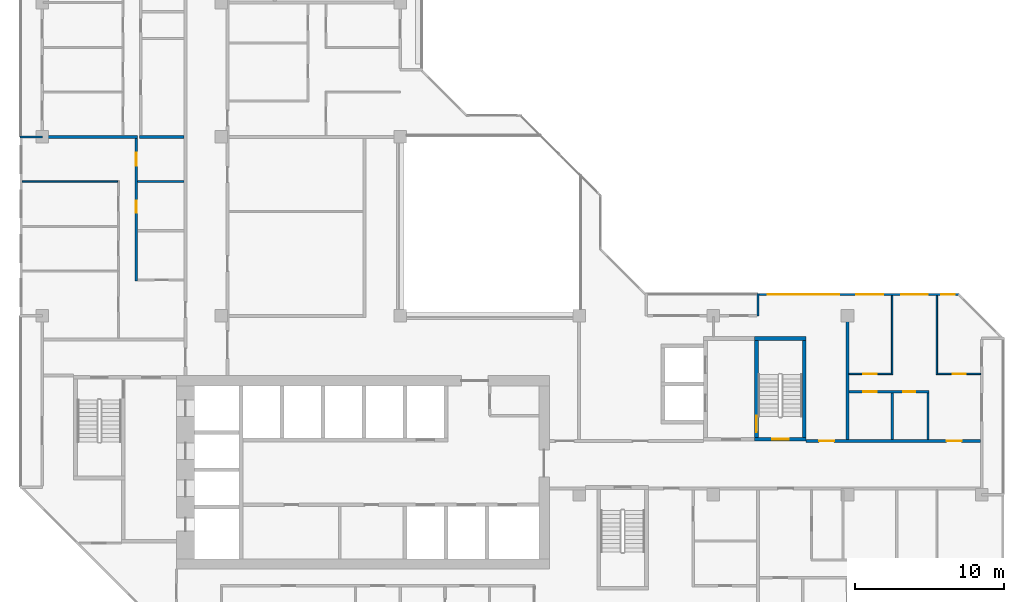
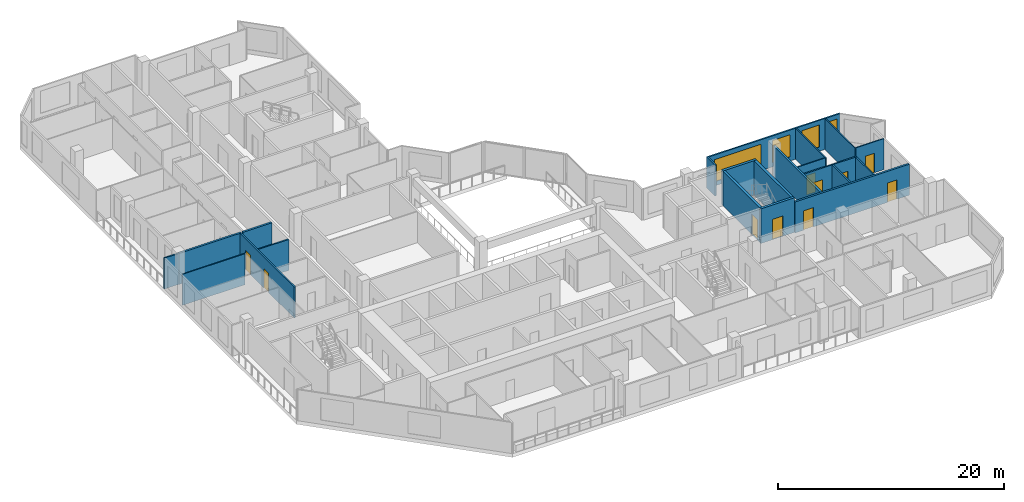
# One storey, part 8 of 15: 21 walls, 10 doors, 4 windows, 14 openings.
"""IFC4 building model written with IfcOpenShell, lengths in metres."""

import ifcopenshell
import ifcopenshell.guid

model = None  # the IFC model being written
_history = None  # IfcOwnerHistory: only IFC2X3 demands one
_inside = {}  # id of a spatial element -> (the spatial element, [elements in it])
_under = {}  # id of a project, library or spatial element -> (it, [spatial elements below it])
_declared = {}  # id of a project -> (the project, [libraries it declares])
_typed = {}  # id of a type object -> (the type object, [elements of that type])
_made_of = {}  # id of a material, layer set ... -> (it, [elements and type objects made of it])


def new_model(schema):
    """Start an empty IFC model of exactly this schema.

    Asked for "IFC4X3", IfcOpenShell would pick the latest addendum, in which some entities
    have other attributes; the version numbers below select the first issue.
    IFC2X3 requires an IfcOwnerHistory on every rooted entity: one is made here for all.
    """
    global model, _history
    if schema == "IFC4X3":
        model = ifcopenshell.file(schema_version=(4, 3, 0, 0))
    else:
        model = ifcopenshell.file(schema=schema)
    _inside.clear()
    _under.clear()
    _declared.clear()
    _typed.clear()
    _made_of.clear()
    _history = None
    if model.schema == "IFC2X3":
        org = make("IfcOrganization", Name="unknown")
        user = make(
            "IfcPersonAndOrganization",
            ThePerson=make("IfcPerson", FamilyName="unknown"),
            TheOrganization=org,
        )
        app = make(
            "IfcApplication",
            ApplicationDeveloper=org,
            Version="unknown",
            ApplicationFullName="unknown",
            ApplicationIdentifier="unknown",
        )
        _history = make(
            "IfcOwnerHistory",
            OwningUser=user,
            OwningApplication=app,
            ChangeAction="ADDED",
            CreationDate=0,
        )
    return model


def make(cls, **values):
    """One entity of the class cls with the attributes given. An attribute that is None is left unset."""
    return model.create_entity(
        cls, **{name: value for name, value in values.items() if value is not None}
    )


def rooted(cls, **values):
    """An entity with a GlobalId (a new one), such as an element, a storey or a relation."""
    return make(cls, GlobalId=ifcopenshell.guid.new(), OwnerHistory=_history, **values)


def si_unit(unit_type, name, prefix=None):
    """IfcSIUnit, for example si_unit("LENGTHUNIT", "METRE", prefix="MILLI")."""
    return make("IfcSIUnit", UnitType=unit_type, Prefix=prefix, Name=name)


def assignment(units):
    """IfcUnitAssignment: the units of a project."""
    return None if units is None else make("IfcUnitAssignment", Units=units)


def point(xyz):
    """IfcCartesianPoint."""
    return None if xyz is None else make("IfcCartesianPoint", Coordinates=xyz)


def direction(xyz):
    """IfcDirection."""
    return None if xyz is None else make("IfcDirection", DirectionRatios=xyz)


def frame(location, z_axis=None, x_axis=None):
    """IfcAxis2Placement3D, a coordinate frame: its origin and axes. An axis left out is left unset."""
    return make(
        "IfcAxis2Placement3D",
        Location=point(location),
        Axis=direction(z_axis),
        RefDirection=direction(x_axis),
    )


def frame_2d(location, x_axis=None):
    """IfcAxis2Placement2D, a coordinate frame in the plane: its origin and x axis."""
    return make(
        "IfcAxis2Placement2D", Location=point(location), RefDirection=direction(x_axis)
    )


def origin():
    """The frame at (0, 0, 0) with its axes left unset."""
    return frame((0.0, 0.0, 0.0))


def place(relative_to, where):
    """IfcLocalPlacement: puts the frame where relative to a parent placement (None: the world)."""
    return make(
        "IfcLocalPlacement", PlacementRelTo=relative_to, RelativePlacement=where
    )


def context(
    kind, dimensions, precision=None, world=None, true_north=None, identifier=None
):
    """IfcGeometricRepresentationContext, for example the 3D "Model" context."""
    return make(
        "IfcGeometricRepresentationContext",
        ContextIdentifier=identifier,
        ContextType=kind,
        CoordinateSpaceDimension=dimensions,
        Precision=precision,
        WorldCoordinateSystem=world,
        TrueNorth=true_north,
    )


def subcontext(parent, identifier, kind, view, scale=None):
    """IfcGeometricRepresentationSubContext, for example "Body" below "Model"."""
    return make(
        "IfcGeometricRepresentationSubContext",
        ContextIdentifier=identifier,
        ContextType=kind,
        ParentContext=parent,
        TargetScale=scale,
        TargetView=view,
    )


def project(units=None, contexts=None):
    """IfcProject with its units and contexts."""
    return rooted(
        "IfcProject",
        Name="project",
        RepresentationContexts=contexts,
        UnitsInContext=assignment(units),
    )


def spatial(cls, under=None, at=None, **own):
    """A site, building, storey or space (cls), placed at a placement, below another one or the project."""
    s = rooted(cls, ObjectPlacement=at, **own)
    if under is not None:
        _under.setdefault(under.id(), (under, []))[1].append(s)
    return s


def profile(cls, at=None, kind="AREA", **sizes):
    """A parametric profile (cls). Its sizes go by their IFC names, for example OverallWidth=200.0."""
    return make(cls, ProfileType=kind, Position=at, **sizes)


def rectangle(**sizes):
    """IfcRectangleProfileDef."""
    return profile("IfcRectangleProfileDef", **sizes)


def extrude(swept, where, along, depth):
    """IfcExtrudedAreaSolid: the profile swept, set in the frame where, extruded along a direction by depth."""
    return make(
        "IfcExtrudedAreaSolid",
        SweptArea=swept,
        Position=where,
        ExtrudedDirection=direction(along),
        Depth=depth,
    )


def shape(context_of_items, identifier, shape_type, items):
    """IfcShapeRepresentation: the items that make up one representation, for example the "Body"."""
    return make(
        "IfcShapeRepresentation",
        ContextOfItems=context_of_items,
        RepresentationIdentifier=identifier,
        RepresentationType=shape_type,
        Items=items,
    )


def material(Name=None, Category=None):
    """IfcMaterial."""
    return make("IfcMaterial", Name=Name, Category=Category)


def layer(
    of_material, thickness, ventilated=None, Name=None, Category=None, Priority=None
):
    """IfcMaterialLayer: one layer of a wall or slab, of a material (None: an air gap)."""
    return make(
        "IfcMaterialLayer",
        Material=of_material,
        LayerThickness=thickness,
        IsVentilated=ventilated,
        Name=Name,
        Category=Category,
        Priority=Priority,
    )


def layer_set(layers, Name=None):
    """IfcMaterialLayerSet."""
    return make("IfcMaterialLayerSet", MaterialLayers=layers, LayerSetName=Name)


def made_of(thing, what):
    """Note that an element or type object is made of a material, layer set ...; save() writes the relation."""
    if what is not None:
        _made_of.setdefault(what.id(), (what, []))[1].append(thing)
    return thing


def type_object(cls, material=None, **own):
    """A type object (cls), such as IfcWallType, which elements share."""
    return made_of(rooted(cls, **own), material)


def element(
    cls,
    number,
    at=None,
    inside=None,
    cuts=None,
    type_object=None,
    material=None,
    context=None,
    identifier="Body",
    shape_type=None,
    held_by="IfcProductDefinitionShape",
    body=None,
    shapes=None,
    **own,
):
    """One element of the class cls, such as IfcWall. Its Tag is "e" and its number.

    at: its placement. inside: the storey or other place that contains it. cuts: it is an
    opening in that element (IfcRelVoidsElement). A single representation is given by context,
    identifier, shape_type and body (its items); several are given by shapes. held_by: the class
    of the entity that holds the representations. save() writes the other relations.
    """
    e = rooted(cls, Tag="e%d" % number, ObjectPlacement=at, **own)
    if body is not None:
        shapes = [shape(context, identifier, shape_type, body)]
    if shapes is not None:
        e.Representation = make(held_by, Representations=shapes)
    if inside is not None:
        _inside.setdefault(inside.id(), (inside, []))[1].append(e)
    if cuts is not None:
        rooted(
            "IfcRelVoidsElement", RelatingBuildingElement=cuts, RelatedOpeningElement=e
        )
    if type_object is not None:
        _typed.setdefault(type_object.id(), (type_object, []))[1].append(e)
    return made_of(e, material)


def fill(opening, filler):
    """IfcRelFillsElement: the door or window that sits in an opening."""
    return rooted(
        "IfcRelFillsElement",
        RelatingOpeningElement=opening,
        RelatedBuildingElement=filler,
    )


def aggregate(whole, parts):
    """IfcRelAggregates: a whole, such as a stair, and the parts it consists of."""
    return rooted("IfcRelAggregates", RelatingObject=whole, RelatedObjects=parts)


def save(model, path):
    """Write the relations noted so far, then the file.

    IfcRelAggregates (storeys below a building ...), IfcRelContainedInSpatialStructure (elements
    in a storey), IfcRelDefinesByType, IfcRelAssociatesMaterial and IfcRelDeclares: one each for
    every whole, place, type object, material and project.
    """
    for whole, parts in _under.values():
        aggregate(whole, parts)
    for where, things in _inside.values():
        rooted(
            "IfcRelContainedInSpatialStructure",
            RelatedElements=things,
            RelatingStructure=where,
        )
    for kind, things in _typed.values():
        rooted("IfcRelDefinesByType", RelatedObjects=things, RelatingType=kind)
    for what, things in _made_of.values():
        rooted("IfcRelAssociatesMaterial", RelatedObjects=things, RelatingMaterial=what)
    for by, libraries in _declared.values():
        rooted("IfcRelDeclares", RelatingContext=by, RelatedDefinitions=libraries)
    model.write(path)


model = new_model("IFC4")

# Units and contexts
model_context = context("Model", 3, precision=1e-05, world=origin(), true_north=direction((0.0, 1.0)))
body_context = subcontext(model_context, "Body", "Model", "MODEL_VIEW")
ifc_project = project(units=[si_unit("LENGTHUNIT", "METRE"), si_unit("AREAUNIT", "SQUARE_METRE"), si_unit("VOLUMEUNIT", "CUBIC_METRE"), si_unit("PLANEANGLEUNIT", "RADIAN"), si_unit("MASSUNIT", "GRAM", prefix="KILO")], contexts=[model_context])

# Site, building, storey
site_placement = place(None, origin())
site = spatial("IfcSite", under=ifc_project, at=site_placement, CompositionType="ELEMENT")
building_placement = place(site_placement, origin())
building = spatial("IfcBuilding", under=site, at=building_placement, Name="Chenar Terraces", CompositionType="ELEMENT")
storey_placement = place(building_placement, frame((0.0, 0.0, 249.14990234375)))
storey = spatial("IfcBuildingStorey", under=building, at=storey_placement, Name="L59", CompositionType="ELEMENT", Elevation=249.14990234375)

# Wall, opening, door
ifc_material_1 = material(Name="Concrete C60/75", Category="concrete")
ifc_layer_1 = layer(ifc_material_1, 0.25)
ifc_layer_set_1 = layer_set([ifc_layer_1], Name="Concrete C60/75")
wall_type_1 = type_object("IfcWallType", Name="Core wall 250 Concrete C60/75", PredefinedType="SHEAR", material=ifc_layer_set_1)
wall_1_placement = place(storey_placement, frame((47.77490234375, 15.72509765625, 0.0), z_axis=(0.0, 0.0, 1.0), x_axis=(1.0, 0.0, 0.0)))
wall_1 = element("IfcWall", 1, at=wall_1_placement, inside=storey, type_object=wall_type_1, Name="Core wall ST3_S L59", PredefinedType="SHEAR", context=body_context, shape_type="SweptSolid", body=[
    extrude(rectangle(XDim=3.4501953125, YDim=0.25, at=frame_2d((1.72509765625, 0.0))), origin(), (0.0, 0.0, 1.0), 3.75),
])
opening_1_placement = place(wall_1_placement, frame((1.175048828125, 0.0, 0.0)))
opening_1 = element("IfcOpeningElement", 2, at=opening_1_placement, cuts=wall_1, Name="Opening DL59-C8", PredefinedType="OPENING", context=body_context, shape_type="SweptSolid", body=[
    extrude(rectangle(XDim=1.10009765625, YDim=2.199951171875, at=frame_2d((0.550048828125, 1.10009765625))), frame((0.0, 0.135009765625, 0.0), z_axis=(0.0, -1.0, 0.0), x_axis=(1.0, 0.0, 0.0)), (0.0, 0.0, 1.0), 0.27001953125),
])
ifc_material_2 = material(Name="Steel-framed fire-resisting door leaf", Category="steel")
door_type_1 = type_object("IfcDoorType", Name="Stair fire door FD60 1100 x 2200", OperationType="SINGLE_SWING_LEFT", PredefinedType="DOOR", material=ifc_material_2)
door_1_placement = place(opening_1_placement, frame((1.10009765625, 0.0, 0.0), z_axis=(0.0, 0.0, 1.0), x_axis=(-1.0, 0.0, 0.0)))
door_1 = element("IfcDoor", 3, at=door_1_placement, inside=storey, type_object=door_type_1, Name="Stair door DL59-C8", OperationType="SINGLE_SWING_LEFT", OverallHeight=2.199951171875, OverallWidth=1.10009765625, PredefinedType="DOOR", context=body_context, shape_type="SweptSolid", body=[
    extrude(rectangle(XDim=1.10009765625, YDim=2.199951171875, at=frame_2d((0.550048828125, 1.10009765625))), frame((0.0, 0.02490234375, 0.0), z_axis=(0.0, -1.0, 0.0), x_axis=(1.0, 0.0, 0.0)), (0.0, 0.0, 1.0), 0.050048828125),
])
fill(opening_1, door_1)

# Wall
wall_2_placement = place(storey_placement, frame((47.77490234375, 22.47509765625, 0.0), z_axis=(0.0, 0.0, 1.0), x_axis=(1.0, 0.0, 0.0)))
element("IfcWall", 4, at=wall_2_placement, inside=storey, type_object=wall_type_1, Name="Core wall ST3_N L59", PredefinedType="SHEAR", context=body_context, shape_type="SweptSolid", body=[
    extrude(rectangle(XDim=3.4501953125, YDim=0.25, at=frame_2d((1.72509765625, 0.0))), origin(), (0.0, 0.0, 1.0), 3.75),
])

# Wall, opening, door
wall_3_placement = place(storey_placement, frame((47.89990234375, 15.85009765625, 0.0), z_axis=(0.0, 0.0, 1.0), x_axis=(0.0, 1.0, 0.0)))
wall_3 = element("IfcWall", 5, at=wall_3_placement, inside=storey, type_object=wall_type_1, Name="Core wall ST3_W L59", PredefinedType="SHEAR", context=body_context, shape_type="SweptSolid", body=[
    extrude(rectangle(XDim=6.5, YDim=0.25, at=frame_2d((3.25, 0.0))), origin(), (0.0, 0.0, 1.0), 3.75),
])
opening_2_placement = place(wall_3_placement, frame((0.35009765625, 0.0, 0.0)))
opening_2 = element("IfcOpeningElement", 6, at=opening_2_placement, cuts=wall_3, Name="Opening DL59-C11", PredefinedType="OPENING", context=body_context, shape_type="SweptSolid", body=[
    extrude(rectangle(XDim=1.10009765625, YDim=2.199951171875, at=frame_2d((0.550048828125, 1.10009765625))), frame((0.0, 0.135009765625, 0.0), z_axis=(0.0, -1.0, 0.0), x_axis=(1.0, 0.0, 0.0)), (0.0, 0.0, 1.0), 0.27001953125),
])
door_2_placement = place(opening_2_placement, frame((1.10009765625, 0.0, 0.0), z_axis=(0.0, 0.0, 1.0), x_axis=(-1.0, 0.0, 0.0)))
door_2 = element("IfcDoor", 7, at=door_2_placement, inside=storey, type_object=door_type_1, Name="Stair door DL59-C11", OperationType="SINGLE_SWING_RIGHT", OverallHeight=2.199951171875, OverallWidth=1.10009765625, PredefinedType="DOOR", context=body_context, shape_type="SweptSolid", body=[
    extrude(rectangle(XDim=1.10009765625, YDim=2.199951171875, at=frame_2d((0.550048828125, 1.10009765625))), frame((0.0, 0.02490234375, 0.0), z_axis=(0.0, -1.0, 0.0), x_axis=(1.0, 0.0, 0.0)), (0.0, 0.0, 1.0), 0.050048828125),
])
fill(opening_2, door_2)

# Wall
wall_4_placement = place(storey_placement, frame((51.10009765625, 15.85009765625, 0.0), z_axis=(0.0, 0.0, 1.0), x_axis=(0.0, 1.0, 0.0)))
element("IfcWall", 8, at=wall_4_placement, inside=storey, type_object=wall_type_1, Name="Core wall ST3_E L59", PredefinedType="SHEAR", context=body_context, shape_type="SweptSolid", body=[
    extrude(rectangle(XDim=6.5, YDim=0.25, at=frame_2d((3.25, 0.0))), origin(), (0.0, 0.0, 1.0), 3.75),
])

# Wall, openings, doors
ifc_material_3 = material(Name="Gypsum board on steel studs with fire boards", Category="steel")
ifc_layer_2 = layer(ifc_material_3, 0.199951171875)
ifc_layer_set_2 = layer_set([ifc_layer_2], Name="Gypsum board on steel studs with fire boards")
wall_type_2 = type_object("IfcWallType", Name="Corridor wall 200", PredefinedType="PARTITIONING", material=ifc_layer_set_2)
wall_5_placement = place(storey_placement, frame((51.22509765625, 15.60009765625, 0.0), z_axis=(0.0, 0.0, 1.0), x_axis=(1.0, 0.0, 0.0)))
wall_5 = element("IfcWall", 9, at=wall_5_placement, inside=storey, type_object=wall_type_2, Name="Partition L59-078", PredefinedType="PARTITIONING", context=body_context, shape_type="SweptSolid", body=[
    extrude(rectangle(XDim=11.700927734375, YDim=0.199951171875, at=frame_2d((5.8505859375, 0.0))), origin(), (0.0, 0.0, 1.0), 3.35009765625),
])
opening_3_placement = place(wall_5_placement, frame((9.425048828125, 0.0, 0.0)))
opening_3 = element("IfcOpeningElement", 10, at=opening_3_placement, cuts=wall_5, Name="Opening DL59-8", PredefinedType="OPENING", context=body_context, shape_type="SweptSolid", body=[
    extrude(rectangle(XDim=1.0, YDim=2.10009765625, at=frame_2d((0.5, 1.050048828125))), frame((0.0, 0.10986328125, 0.0), z_axis=(0.0, -1.0, 0.0), x_axis=(1.0, 0.0, 0.0)), (0.0, 0.0, 1.0), 0.219970703125),
])
opening_4_placement = place(wall_5_placement, frame((0.875, 0.0, 0.0)))
opening_4 = element("IfcOpeningElement", 11, at=opening_4_placement, cuts=wall_5, Name="Opening DL59-45", PredefinedType="OPENING", context=body_context, shape_type="SweptSolid", body=[
    extrude(rectangle(XDim=1.0, YDim=2.10009765625, at=frame_2d((0.5, 1.050048828125))), frame((0.0, 0.10986328125, 0.0), z_axis=(0.0, -1.0, 0.0), x_axis=(1.0, 0.0, 0.0)), (0.0, 0.0, 1.0), 0.219970703125),
])
ifc_material_4 = material(Name="Steel-framed fire-resisting door leaf", Category="steel")
door_type_2 = type_object("IfcDoorType", Name="Fire door FD30S 1000 x 2100", OperationType="SINGLE_SWING_LEFT", PredefinedType="DOOR", material=ifc_material_4)
door_3_placement = place(opening_3_placement, origin())
door_3 = element("IfcDoor", 12, at=door_3_placement, inside=storey, type_object=door_type_2, Name="Door DL59-8", OperationType="SINGLE_SWING_LEFT", OverallHeight=2.10009765625, OverallWidth=1.0, PredefinedType="DOOR", context=body_context, shape_type="SweptSolid", body=[
    extrude(rectangle(XDim=1.0, YDim=2.10009765625, at=frame_2d((0.5, 1.050048828125))), frame((0.0, 0.02490234375, 0.0), z_axis=(0.0, -1.0, 0.0), x_axis=(1.0, 0.0, 0.0)), (0.0, 0.0, 1.0), 0.050048828125),
])
fill(opening_3, door_3)
door_4_placement = place(opening_4_placement, origin())
door_4 = element("IfcDoor", 13, at=door_4_placement, inside=storey, type_object=door_type_2, Name="Door DL59-45", OperationType="SINGLE_SWING_RIGHT", OverallHeight=2.10009765625, OverallWidth=1.0, PredefinedType="DOOR", context=body_context, shape_type="SweptSolid", body=[
    extrude(rectangle(XDim=1.0, YDim=2.10009765625, at=frame_2d((0.5, 1.050048828125))), frame((0.0, 0.02490234375, 0.0), z_axis=(0.0, -1.0, 0.0), x_axis=(1.0, 0.0, 0.0)), (0.0, 0.0, 1.0), 0.050048828125),
])
fill(opening_4, door_4)

# Wall, openings, windows
ifc_material_5 = material(Name="Aluminium framed glazing", Category="aluminium")
ifc_layer_3 = layer(ifc_material_5, 0.14990234375)
ifc_layer_set_3 = layer_set([ifc_layer_3], Name="Aluminium framed glazing")
wall_type_3 = type_object("IfcWallType", Name="Glazed flush facade wall 150", PredefinedType="SOLIDWALL", material=ifc_layer_set_3)
wall_6_placement = place(storey_placement, frame((61.5, 25.425048828125, 0.0), z_axis=(0.0, 0.0, 1.0), x_axis=(-1.0, 0.0, 0.0)))
wall_6 = element("IfcWall", 14, at=wall_6_placement, inside=storey, type_object=wall_type_3, Name="Glazed flush facade wall", PredefinedType="SOLIDWALL", context=body_context, shape_type="SweptSolid", body=[
    extrude(rectangle(XDim=13.425048828125, YDim=0.14990234375, at=frame_2d((6.71240234375, 0.0))), origin(), (0.0, 0.0, 1.0), 3.35009765625),
])
opening_5_placement = place(wall_6_placement, frame((0.300048828125, 0.0, 0.449951171875)))
opening_5 = element("IfcOpeningElement", 15, at=opening_5_placement, cuts=wall_6, Name="Opening W90x240", PredefinedType="OPENING", context=body_context, shape_type="SweptSolid", body=[
    extrude(rectangle(XDim=0.89990234375, YDim=2.39990234375, at=frame_2d((0.449951171875, 1.199951171875))), frame((0.0, 0.0849609375, 0.0), z_axis=(0.0, -1.0, 0.0), x_axis=(1.0, 0.0, 0.0)), (0.0, 0.0, 1.0), 0.169921875),
])
opening_6_placement = place(wall_6_placement, frame((2.10009765625, 0.0, 0.449951171875)))
opening_6 = element("IfcOpeningElement", 16, at=opening_6_placement, cuts=wall_6, Name="Opening W180x240", PredefinedType="OPENING", context=body_context, shape_type="SweptSolid", body=[
    extrude(rectangle(XDim=1.800048828125, YDim=2.39990234375, at=frame_2d((0.89990234375, 1.199951171875))), frame((0.0, 0.0849609375, 0.0), z_axis=(0.0, -1.0, 0.0), x_axis=(1.0, 0.0, 0.0)), (0.0, 0.0, 1.0), 0.169921875),
])
opening_7_placement = place(wall_6_placement, frame((5.10009765625, 0.0, 0.449951171875)))
opening_7 = element("IfcOpeningElement", 17, at=opening_7_placement, cuts=wall_6, Name="Opening W180x240", PredefinedType="OPENING", context=body_context, shape_type="SweptSolid", body=[
    extrude(rectangle(XDim=1.800048828125, YDim=2.39990234375, at=frame_2d((0.89990234375, 1.199951171875))), frame((0.0, 0.0849609375, 0.0), z_axis=(0.0, -1.0, 0.0), x_axis=(1.0, 0.0, 0.0)), (0.0, 0.0, 1.0), 0.169921875),
])
opening_8_placement = place(wall_6_placement, frame((8.0625, 0.0, 0.449951171875)))
opening_8 = element("IfcOpeningElement", 18, at=opening_8_placement, cuts=wall_6, Name="Opening W480x240", PredefinedType="OPENING", context=body_context, shape_type="SweptSolid", body=[
    extrude(rectangle(XDim=4.800048828125, YDim=2.39990234375, at=frame_2d((2.39990234375, 1.199951171875))), frame((0.0, 0.0849609375, 0.0), z_axis=(0.0, -1.0, 0.0), x_axis=(1.0, 0.0, 0.0)), (0.0, 0.0, 1.0), 0.169921875),
])
ifc_material_6 = material(Name="Low emissivity double glazing, aluminium frame", Category="aluminium")
window_type_1 = type_object("IfcWindowType", Name="Fixed light 1800 x 2400", PartitioningType="SINGLE_PANEL", PredefinedType="WINDOW", material=ifc_material_6)
window_1_placement = place(opening_6_placement, origin())
window_1 = element("IfcWindow", 19, at=window_1_placement, inside=storey, type_object=window_type_1, Name="Window", OverallHeight=2.39990234375, OverallWidth=1.800048828125, PartitioningType="SINGLE_PANEL", PredefinedType="WINDOW", context=body_context, shape_type="SweptSolid", body=[
    extrude(rectangle(XDim=1.800048828125, YDim=2.39990234375, at=frame_2d((0.89990234375, 1.199951171875))), frame((0.0, 0.030029296875, 0.0), z_axis=(0.0, -1.0, 0.0), x_axis=(1.0, 0.0, 0.0)), (0.0, 0.0, 1.0), 0.06005859375),
])
fill(opening_6, window_1)
window_2_placement = place(opening_7_placement, origin())
window_2 = element("IfcWindow", 20, at=window_2_placement, inside=storey, type_object=window_type_1, Name="Window", OverallHeight=2.39990234375, OverallWidth=1.800048828125, PartitioningType="SINGLE_PANEL", PredefinedType="WINDOW", context=body_context, shape_type="SweptSolid", body=[
    extrude(rectangle(XDim=1.800048828125, YDim=2.39990234375, at=frame_2d((0.89990234375, 1.199951171875))), frame((0.0, 0.030029296875, 0.0), z_axis=(0.0, -1.0, 0.0), x_axis=(1.0, 0.0, 0.0)), (0.0, 0.0, 1.0), 0.06005859375),
])
fill(opening_7, window_2)
ifc_material_7 = material(Name="Low emissivity double glazing, aluminium frame", Category="aluminium")
window_type_2 = type_object("IfcWindowType", Name="Fixed light 4800 x 2400", PartitioningType="SINGLE_PANEL", PredefinedType="WINDOW", material=ifc_material_7)
window_3_placement = place(opening_8_placement, origin())
window_3 = element("IfcWindow", 21, at=window_3_placement, inside=storey, type_object=window_type_2, Name="Window", OverallHeight=2.39990234375, OverallWidth=4.800048828125, PartitioningType="SINGLE_PANEL", PredefinedType="WINDOW", context=body_context, shape_type="SweptSolid", body=[
    extrude(rectangle(XDim=4.800048828125, YDim=2.39990234375, at=frame_2d((2.39990234375, 1.199951171875))), frame((0.0, 0.030029296875, 0.0), z_axis=(0.0, -1.0, 0.0), x_axis=(1.0, 0.0, 0.0)), (0.0, 0.0, 1.0), 0.06005859375),
])
fill(opening_8, window_3)
ifc_material_8 = material(Name="Low emissivity double glazing, aluminium frame", Category="aluminium")
window_type_3 = type_object("IfcWindowType", Name="Fixed light 900 x 2400", PartitioningType="SINGLE_PANEL", PredefinedType="WINDOW", material=ifc_material_8)
window_4_placement = place(opening_5_placement, origin())
window_4 = element("IfcWindow", 22, at=window_4_placement, inside=storey, type_object=window_type_3, Name="Window", OverallHeight=2.39990234375, OverallWidth=0.89990234375, PartitioningType="SINGLE_PANEL", PredefinedType="WINDOW", context=body_context, shape_type="SweptSolid", body=[
    extrude(rectangle(XDim=0.89990234375, YDim=2.39990234375, at=frame_2d((0.449951171875, 1.199951171875))), frame((0.0, 0.030029296875, 0.0), z_axis=(0.0, -1.0, 0.0), x_axis=(1.0, 0.0, 0.0)), (0.0, 0.0, 1.0), 0.06005859375),
])
fill(opening_5, window_4)

# Wall
ifc_material_9 = material(Name="Gypsum board on steel studs", Category="steel")
ifc_layer_4 = layer(ifc_material_9, 0.10009765625)
ifc_layer_set_4 = layer_set([ifc_layer_4], Name="Gypsum board on steel studs")
wall_type_4 = type_object("IfcWallType", Name="Gypsum partition 100", PredefinedType="PARTITIONING", material=ifc_layer_set_4)
wall_7_placement = place(storey_placement, frame((-1.35009765625, 33.0, 0.0), z_axis=(0.0, 0.0, 1.0), x_axis=(1.0, 0.0, 0.0)))
element("IfcWall", 23, at=wall_7_placement, inside=storey, type_object=wall_type_4, Name="Partition L59-004", PredefinedType="PARTITIONING", context=body_context, shape_type="SweptSolid", body=[
    extrude(rectangle(XDim=6.400146484375, YDim=0.10009765625, at=frame_2d((3.2001953125, 0.0))), origin(), (0.0, 0.0, 1.0), 3.35009765625),
])

# Wall, opening, door
wall_8_placement = place(storey_placement, frame((54.10009765625, 20.10009765625, 0.0), z_axis=(0.0, 0.0, 1.0), x_axis=(1.0, 0.0, 0.0)))
wall_8 = element("IfcWall", 24, at=wall_8_placement, inside=storey, type_object=wall_type_4, Name="Partition L59-085", PredefinedType="PARTITIONING", context=body_context, shape_type="SweptSolid", body=[
    extrude(rectangle(XDim=2.849853515625, YDim=0.10009765625, at=frame_2d((1.4248046875, 0.0))), origin(), (0.0, 0.0, 1.0), 3.35009765625),
])
opening_9_placement = place(wall_8_placement, frame((0.949951171875, 0.0, 0.0)))
opening_9 = element("IfcOpeningElement", 25, at=opening_9_placement, cuts=wall_8, Name="Opening DL59-5", PredefinedType="OPENING", context=body_context, shape_type="SweptSolid", body=[
    extrude(rectangle(XDim=0.89990234375, YDim=2.10009765625, at=frame_2d((0.449951171875, 1.050048828125))), frame((0.0, 0.06005859375, 0.0), z_axis=(0.0, -1.0, 0.0), x_axis=(1.0, 0.0, 0.0)), (0.0, 0.0, 1.0), 0.1201171875),
])
ifc_material_10 = material(Name="Veneered timber door leaf", Category="wood")
door_type_3 = type_object("IfcDoorType", Name="Door 900 x 2100", OperationType="SINGLE_SWING_LEFT", PredefinedType="DOOR", material=ifc_material_10)
door_5_placement = place(opening_9_placement, origin())
door_5 = element("IfcDoor", 26, at=door_5_placement, inside=storey, type_object=door_type_3, Name="Door DL59-5", OperationType="SINGLE_SWING_RIGHT", OverallHeight=2.10009765625, OverallWidth=0.89990234375, PredefinedType="DOOR", context=body_context, shape_type="SweptSolid", body=[
    extrude(rectangle(XDim=0.89990234375, YDim=2.10009765625, at=frame_2d((0.449951171875, 1.050048828125))), frame((0.0, 0.02490234375, 0.0), z_axis=(0.0, -1.0, 0.0), x_axis=(1.0, 0.0, 0.0)), (0.0, 0.0, 1.0), 0.050048828125),
])
fill(opening_9, door_5)

# Walls
for number, where, z_axis, x_axis, name in (
    (27, (57.0, 20.050048828125, 0.0), (0.0, 0.0, 1.0), (0.0, 1.0, 0.0), "Partition L59-088"),
    (28, (60.0, 20.050048828125, 0.0), (0.0, 0.0, 1.0), (0.0, 1.0, 0.0), "Partition L59-092"),
):
    element("IfcWall", number, at=place(storey_placement, frame(where, z_axis=z_axis, x_axis=x_axis)), inside=storey, type_object=wall_type_4, Name=name, PredefinedType="PARTITIONING", context=body_context, shape_type="SweptSolid", body=[
        extrude(rectangle(XDim=5.300048828125, YDim=0.10009765625, at=frame_2d((2.64990234375, 0.0))), origin(), (0.0, 0.0, 1.0), 3.35009765625),
    ])

# Wall, opening, door
wall_9_placement = place(storey_placement, frame((60.050048828125, 20.10009765625, 0.0), z_axis=(0.0, 0.0, 1.0), x_axis=(1.0, 0.0, 0.0)))
wall_9 = element("IfcWall", 29, at=wall_9_placement, inside=storey, type_object=wall_type_4, Name="Partition L59-093", PredefinedType="PARTITIONING", context=body_context, shape_type="SweptSolid", body=[
    extrude(rectangle(XDim=2.8759765625, YDim=0.10009765625, at=frame_2d((1.43798828125, 0.0))), origin(), (0.0, 0.0, 1.0), 3.35009765625),
])
opening_10_placement = place(wall_9_placement, frame((1.0, 0.0, 0.0)))
opening_10 = element("IfcOpeningElement", 30, at=opening_10_placement, cuts=wall_9, Name="Opening DL59-6", PredefinedType="OPENING", context=body_context, shape_type="SweptSolid", body=[
    extrude(rectangle(XDim=0.89990234375, YDim=2.10009765625, at=frame_2d((0.449951171875, 1.050048828125))), frame((0.0, 0.06005859375, 0.0), z_axis=(0.0, -1.0, 0.0), x_axis=(1.0, 0.0, 0.0)), (0.0, 0.0, 1.0), 0.1201171875),
])
door_6_placement = place(opening_10_placement, origin())
door_6 = element("IfcDoor", 31, at=door_6_placement, inside=storey, type_object=door_type_3, Name="Door DL59-6", OperationType="SINGLE_SWING_RIGHT", OverallHeight=2.10009765625, OverallWidth=0.89990234375, PredefinedType="DOOR", context=body_context, shape_type="SweptSolid", body=[
    extrude(rectangle(XDim=0.89990234375, YDim=2.10009765625, at=frame_2d((0.449951171875, 1.050048828125))), frame((0.0, 0.02490234375, 0.0), z_axis=(0.0, -1.0, 0.0), x_axis=(1.0, 0.0, 0.0)), (0.0, 0.0, 1.0), 0.050048828125),
])
fill(opening_10, door_6)

# Walls
ifc_material_11 = material(Name="Terracotta cladding on insulated backing", Category="masonry")
ifc_layer_5 = layer(ifc_material_11, 0.14990234375)
ifc_layer_set_5 = layer_set([ifc_layer_5], Name="Terracotta cladding on insulated backing")
wall_type_5 = type_object("IfcWallType", Name="Loggia return wall 150", PredefinedType="SOLIDWALL", material=ifc_layer_set_5)
for number, where, z_axis, x_axis, name in (
    (32, (48.0, 25.5, 0.0), (0.0, 0.0, 1.0), (0.0, -1.0, 0.0), "Loggia return wall"),
    (33, (-1.5, 36.0, 0.0), (0.0, 0.0, 1.0), (1.0, 0.0, 0.0), "Loggia return wall"),
):
    element("IfcWall", number, at=place(storey_placement, frame(where, z_axis=z_axis, x_axis=x_axis)), inside=storey, type_object=wall_type_5, Name=name, PredefinedType="SOLIDWALL", context=body_context, shape_type="SweptSolid", body=[
        extrude(rectangle(XDim=1.5, YDim=0.14990234375, at=frame_2d((0.75, 0.0))), origin(), (0.0, 0.0, 1.0), 3.35009765625),
    ])
ifc_material_12 = material(Name="Twin gypsum board on steel studs with mineral wool", Category="steel")
ifc_layer_6 = layer(ifc_material_12, 0.199951171875)
ifc_layer_set_6 = layer_set([ifc_layer_6], Name="Twin gypsum board on steel studs with mineral wool")
wall_type_6 = type_object("IfcWallType", Name="Unit demising wall 200", PredefinedType="PARTITIONING", material=ifc_layer_set_6)
wall_10_placement = place(storey_placement, frame((0.0, 36.0, 0.0), z_axis=(0.0, 0.0, 1.0), x_axis=(1.0, 0.0, 0.0)))
element("IfcWall", 34, at=wall_10_placement, inside=storey, type_object=wall_type_6, Name="Partition L59-005", PredefinedType="PARTITIONING", context=body_context, shape_type="SweptSolid", body=[
    extrude(rectangle(XDim=6.375, YDim=0.199951171875, at=frame_2d((3.1875, 0.0))), origin(), (0.0, 0.0, 1.0), 3.35009765625),
])
wall_11_placement = place(storey_placement, frame((6.52490234375, 36.0, 0.0), z_axis=(0.0, 0.0, 1.0), x_axis=(1.0, 0.0, 0.0)))
element("IfcWall", 35, at=wall_11_placement, inside=storey, type_object=wall_type_6, Name="Partition L59-021", PredefinedType="PARTITIONING", context=body_context, shape_type="SweptSolid", body=[
    extrude(rectangle(XDim=2.97509765625, YDim=0.199951171875, at=frame_2d((1.487548828125, 0.0))), origin(), (0.0, 0.0, 1.0), 3.35009765625),
])
wall_12_placement = place(storey_placement, frame((54.0, 15.699951171875, 0.0), z_axis=(0.0, 0.0, 1.0), x_axis=(0.0, 1.0, 0.0)))
element("IfcWall", 36, at=wall_12_placement, inside=storey, type_object=wall_type_6, Name="Partition L59-083", PredefinedType="PARTITIONING", context=body_context, shape_type="SweptSolid", body=[
    extrude(rectangle(XDim=8.300048828125, YDim=0.199951171875, at=frame_2d((4.14990234375, 0.0))), origin(), (0.0, 0.0, 1.0), 3.35009765625),
])

# Wall, openings, doors
ifc_material_13 = material(Name="Moisture-resistant gypsum board on steel studs", Category="steel")
ifc_layer_7 = layer(ifc_material_13, 0.14990234375)
ifc_layer_set_7 = layer_set([ifc_layer_7], Name="Moisture-resistant gypsum board on steel studs")
wall_type_7 = type_object("IfcWallType", Name="Wet-room partition 150", PredefinedType="PARTITIONING", material=ifc_layer_set_7)
wall_13_placement = place(storey_placement, frame((6.300048828125, 26.324951171875, 0.0), z_axis=(0.0, 0.0, 1.0), x_axis=(0.0, 1.0, 0.0)))
wall_13 = element("IfcWall", 37, at=wall_13_placement, inside=storey, type_object=wall_type_7, Name="Partition L59-017", PredefinedType="PARTITIONING", context=body_context, shape_type="SweptSolid", body=[
    extrude(rectangle(XDim=9.574951171875, YDim=0.14990234375, at=frame_2d((4.78759765625, 0.0))), origin(), (0.0, 0.0, 1.0), 3.35009765625),
])
opening_11_placement = place(wall_13_placement, frame((4.574951171875, 0.0, 0.0)))
opening_11 = element("IfcOpeningElement", 38, at=opening_11_placement, cuts=wall_13, Name="Opening DL59-60", PredefinedType="OPENING", context=body_context, shape_type="SweptSolid", body=[
    extrude(rectangle(XDim=0.800048828125, YDim=2.10009765625, at=frame_2d((0.39990234375, 1.050048828125))), frame((0.0, 0.0849609375, 0.0), z_axis=(0.0, -1.0, 0.0), x_axis=(1.0, 0.0, 0.0)), (0.0, 0.0, 1.0), 0.169921875),
])
opening_12_placement = place(wall_13_placement, frame((7.72509765625, 0.0, 0.0)))
opening_12 = element("IfcOpeningElement", 39, at=opening_12_placement, cuts=wall_13, Name="Opening DL59-64", PredefinedType="OPENING", context=body_context, shape_type="SweptSolid", body=[
    extrude(rectangle(XDim=0.89990234375, YDim=2.10009765625, at=frame_2d((0.449951171875, 1.050048828125))), frame((0.0, 0.0849609375, 0.0), z_axis=(0.0, -1.0, 0.0), x_axis=(1.0, 0.0, 0.0)), (0.0, 0.0, 1.0), 0.169921875),
])
ifc_material_14 = material(Name="Veneered timber door leaf", Category="wood")
door_type_4 = type_object("IfcDoorType", Name="Door 800 x 2100", OperationType="SINGLE_SWING_LEFT", PredefinedType="DOOR", material=ifc_material_14)
door_7_placement = place(opening_11_placement, frame((0.800048828125, 0.0, 0.0), z_axis=(0.0, 0.0, 1.0), x_axis=(-1.0, 0.0, 0.0)))
door_7 = element("IfcDoor", 40, at=door_7_placement, inside=storey, type_object=door_type_4, Name="Door DL59-60", OperationType="SINGLE_SWING_RIGHT", OverallHeight=2.10009765625, OverallWidth=0.800048828125, PredefinedType="DOOR", context=body_context, shape_type="SweptSolid", body=[
    extrude(rectangle(XDim=0.800048828125, YDim=2.10009765625, at=frame_2d((0.39990234375, 1.050048828125))), frame((0.0, 0.02490234375, 0.0), z_axis=(0.0, -1.0, 0.0), x_axis=(1.0, 0.0, 0.0)), (0.0, 0.0, 1.0), 0.050048828125),
])
fill(opening_11, door_7)
door_8_placement = place(opening_12_placement, frame((0.89990234375, 0.0, 0.0), z_axis=(0.0, 0.0, 1.0), x_axis=(-1.0, 0.0, 0.0)))
door_8 = element("IfcDoor", 41, at=door_8_placement, inside=storey, type_object=door_type_3, Name="Door DL59-64", OperationType="SINGLE_SWING_RIGHT", OverallHeight=2.10009765625, OverallWidth=0.89990234375, PredefinedType="DOOR", context=body_context, shape_type="SweptSolid", body=[
    extrude(rectangle(XDim=0.89990234375, YDim=2.10009765625, at=frame_2d((0.449951171875, 1.050048828125))), frame((0.0, 0.02490234375, 0.0), z_axis=(0.0, -1.0, 0.0), x_axis=(1.0, 0.0, 0.0)), (0.0, 0.0, 1.0), 0.050048828125),
])
fill(opening_12, door_8)

# Wall
wall_14_placement = place(storey_placement, frame((6.375, 33.0, 0.0), z_axis=(0.0, 0.0, 1.0), x_axis=(1.0, 0.0, 0.0)))
element("IfcWall", 42, at=wall_14_placement, inside=storey, type_object=wall_type_7, Name="Partition L59-020", PredefinedType="PARTITIONING", context=body_context, shape_type="SweptSolid", body=[
    extrude(rectangle(XDim=3.125, YDim=0.14990234375, at=frame_2d((1.5625, 0.0))), origin(), (0.0, 0.0, 1.0), 3.35009765625),
])

# Wall, openings, doors
wall_15_placement = place(storey_placement, frame((54.10009765625, 18.89990234375, 0.0), z_axis=(0.0, 0.0, 1.0), x_axis=(1.0, 0.0, 0.0)))
wall_15 = element("IfcWall", 43, at=wall_15_placement, inside=storey, type_object=wall_type_7, Name="Partition L59-084", PredefinedType="PARTITIONING", context=body_context, shape_type="SweptSolid", body=[
    extrude(rectangle(XDim=5.375, YDim=0.14990234375, at=frame_2d((2.6875, 0.0))), origin(), (0.0, 0.0, 1.0), 3.35009765625),
])
opening_13_placement = place(wall_15_placement, frame((3.64990234375, 0.0, 0.0)))
opening_13 = element("IfcOpeningElement", 44, at=opening_13_placement, cuts=wall_15, Name="Opening DL59-4", PredefinedType="OPENING", context=body_context, shape_type="SweptSolid", body=[
    extrude(rectangle(XDim=0.800048828125, YDim=2.10009765625, at=frame_2d((0.39990234375, 1.050048828125))), frame((0.0, 0.0849609375, 0.0), z_axis=(0.0, -1.0, 0.0), x_axis=(1.0, 0.0, 0.0)), (0.0, 0.0, 1.0), 0.169921875),
])
opening_14_placement = place(wall_15_placement, frame((0.949951171875, 0.0, 0.0)))
opening_14 = element("IfcOpeningElement", 45, at=opening_14_placement, cuts=wall_15, Name="Opening DL59-7", PredefinedType="OPENING", context=body_context, shape_type="SweptSolid", body=[
    extrude(rectangle(XDim=0.89990234375, YDim=2.10009765625, at=frame_2d((0.449951171875, 1.050048828125))), frame((0.0, 0.0849609375, 0.0), z_axis=(0.0, -1.0, 0.0), x_axis=(1.0, 0.0, 0.0)), (0.0, 0.0, 1.0), 0.169921875),
])
door_9_placement = place(opening_13_placement, frame((0.800048828125, 0.0, 0.0), z_axis=(0.0, 0.0, 1.0), x_axis=(-1.0, 0.0, 0.0)))
door_9 = element("IfcDoor", 46, at=door_9_placement, inside=storey, type_object=door_type_4, Name="Door DL59-4", OperationType="SINGLE_SWING_RIGHT", OverallHeight=2.10009765625, OverallWidth=0.800048828125, PredefinedType="DOOR", context=body_context, shape_type="SweptSolid", body=[
    extrude(rectangle(XDim=0.800048828125, YDim=2.10009765625, at=frame_2d((0.39990234375, 1.050048828125))), frame((0.0, 0.02490234375, 0.0), z_axis=(0.0, -1.0, 0.0), x_axis=(1.0, 0.0, 0.0)), (0.0, 0.0, 1.0), 0.050048828125),
])
fill(opening_13, door_9)
door_10_placement = place(opening_14_placement, frame((0.89990234375, 0.0, 0.0), z_axis=(0.0, 0.0, 1.0), x_axis=(-1.0, 0.0, 0.0)))
door_10 = element("IfcDoor", 47, at=door_10_placement, inside=storey, type_object=door_type_3, Name="Door DL59-7", OperationType="SINGLE_SWING_LEFT", OverallHeight=2.10009765625, OverallWidth=0.89990234375, PredefinedType="DOOR", context=body_context, shape_type="SweptSolid", body=[
    extrude(rectangle(XDim=0.89990234375, YDim=2.10009765625, at=frame_2d((0.449951171875, 1.050048828125))), frame((0.0, 0.02490234375, 0.0), z_axis=(0.0, -1.0, 0.0), x_axis=(1.0, 0.0, 0.0)), (0.0, 0.0, 1.0), 0.050048828125),
])
fill(opening_14, door_10)

# Walls
for number, where, z_axis, x_axis, name in (
    (48, (57.0, 15.699951171875, 0.0), (0.0, 0.0, 1.0), (0.0, 1.0, 0.0), "Partition L59-087"),
    (49, (59.39990234375, 15.699951171875, 0.0), (0.0, 0.0, 1.0), (0.0, 1.0, 0.0), "Partition L59-090"),
):
    element("IfcWall", number, at=place(storey_placement, frame(where, z_axis=z_axis, x_axis=x_axis)), inside=storey, type_object=wall_type_7, Name=name, PredefinedType="PARTITIONING", context=body_context, shape_type="SweptSolid", body=[
        extrude(rectangle(XDim=3.125, YDim=0.14990234375, at=frame_2d((1.5625, 0.0))), origin(), (0.0, 0.0, 1.0), 3.35009765625),
    ])

save(model, "model.ifc")
